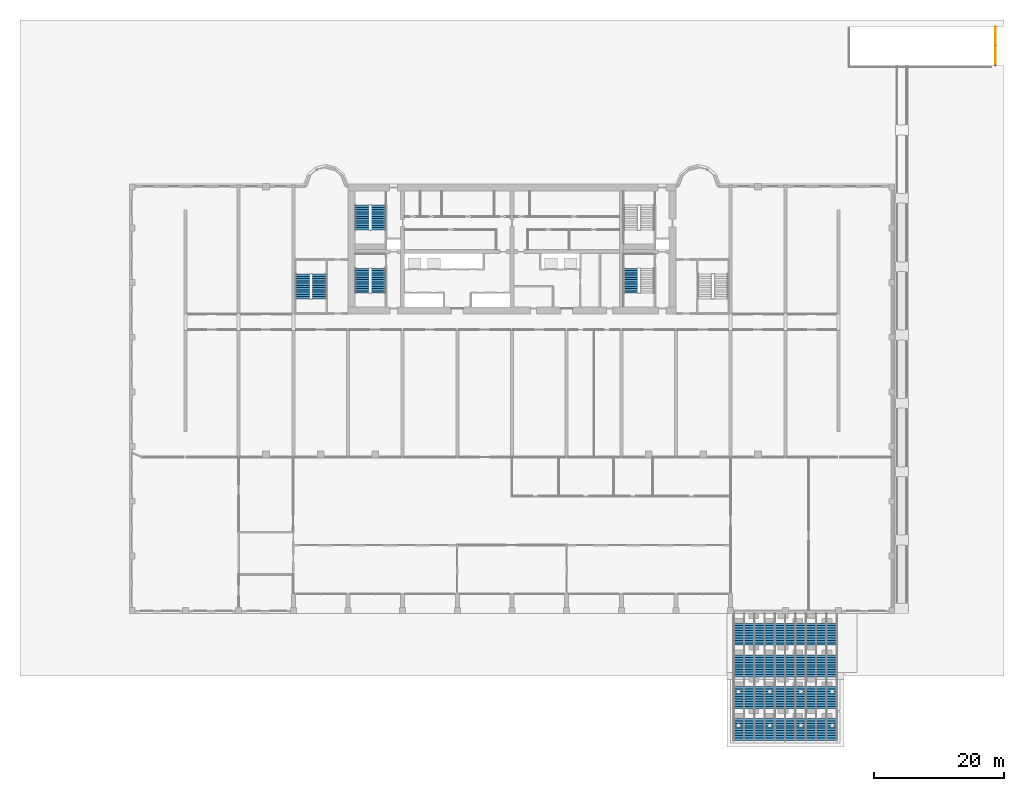
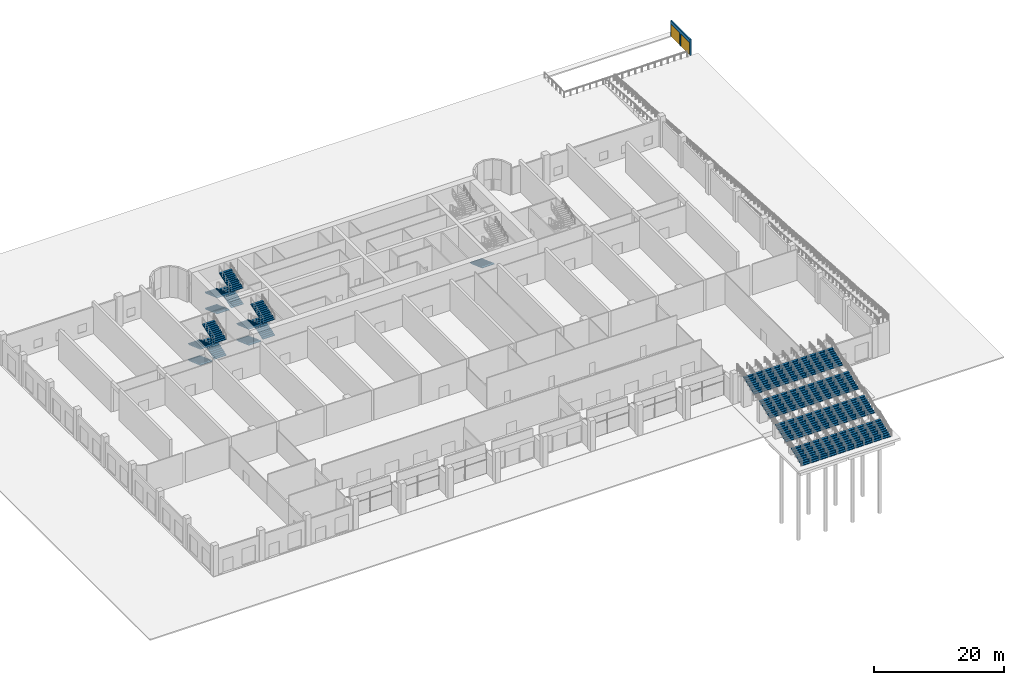
# One storey, part 15 of 20: 53 stair flights, 2 doors, 1 wall, 2 openings, 14 elements without a shape of their own.
"""IFC4 building model written with IfcOpenShell, lengths in metres."""

from ifc_helpers import new_model, si_unit, direction, frame, frame_2d, origin, place, context, subcontext, project, spatial, polyline, rectangle, outline, extrude, source, transform, mapped, material, layer, layer_set, type_object, element, fill, aggregate, save


model = new_model("IFC4")

# Units and contexts
model_context = context("Model", 3, precision=1e-05, world=origin(), true_north=direction((0.0, 1.0)))
body_context = subcontext(model_context, "Body", "Model", "MODEL_VIEW")
ifc_project = project(units=[si_unit("LENGTHUNIT", "METRE"), si_unit("AREAUNIT", "SQUARE_METRE"), si_unit("VOLUMEUNIT", "CUBIC_METRE"), si_unit("PLANEANGLEUNIT", "RADIAN"), si_unit("MASSUNIT", "GRAM", prefix="KILO")], contexts=[model_context])

# Site, building, storey
site_placement = place(None, origin())
site = spatial("IfcSite", under=ifc_project, at=site_placement, CompositionType="ELEMENT")
building_placement = place(site_placement, origin())
building = spatial("IfcBuilding", under=site, at=building_placement, Name="Vanashikhar Sky Hotel", CompositionType="ELEMENT")
storey_placement = place(building_placement, origin())
storey = spatial("IfcBuildingStorey", under=building, at=storey_placement, Name="L00", CompositionType="ELEMENT", Elevation=0.0)

# Wall, openings, doors
ifc_material_1 = material(Name="Concrete M30", Category="concrete")
ifc_layer = layer(ifc_material_1, 0.25)
ifc_layer_set = layer_set([ifc_layer], Name="Vehicle gate wall 250 mm")
wall_type = type_object("IfcWallType", Name="Vehicle gate wall 250 mm", PredefinedType="SOLIDWALL", material=ifc_layer_set)
shared_shape_1 = source(origin(), body_context, "Body", "SweptSolid", [
    extrude(rectangle(XDim=6.0, YDim=0.25, at=frame_2d((3.0, 0.0))), origin(), (0.0, 0.0, 1.0), 3.0),
])
wall_placement = place(storey_placement, frame((124.699951171875, 60.199951171875, -0.1298828125), z_axis=(0.0, 0.0, 1.0), x_axis=(0.0, 1.0, 0.0)))
wall = element("IfcWall", 1, at=wall_placement, inside=storey, type_object=wall_type, Name="Vehicle gate wall", PredefinedType="SOLIDWALL", context=body_context, shape_type="MappedRepresentation", body=[
    mapped(shared_shape_1, transform((0.0, 0.0, 0.0), scale=1.0)),
])
shared_shape_2 = source(origin(), body_context, "Body", "SweptSolid", [
    extrude(rectangle(XDim=2.800048828125, YDim=2.39990234375, at=frame_2d((1.39990234375, 1.199951171875))), frame((0.0, 0.135009765625, 0.0), z_axis=(0.0, -1.0, 0.0), x_axis=(1.0, 0.0, 0.0)), (0.0, 0.0, 1.0), 0.27001953125),
])
opening_1_placement = place(wall_placement, frame((0.14990234375, 0.0, 0.0)))
opening_1 = element("IfcOpeningElement", 2, at=opening_1_placement, cuts=wall, Name="Opening VG1", PredefinedType="OPENING", context=body_context, shape_type="MappedRepresentation", body=[
    mapped(shared_shape_2, transform((0.0, 0.0, 0.0), scale=1.0)),
])
opening_2_placement = place(wall_placement, frame((3.199951171875, 0.0, 0.0)))
opening_2 = element("IfcOpeningElement", 3, at=opening_2_placement, cuts=wall, Name="Opening VG2", PredefinedType="OPENING", context=body_context, shape_type="MappedRepresentation", body=[
    mapped(shared_shape_2, transform((0.0, 0.0, 0.0), scale=1.0)),
])
ifc_material_2 = material(Name="Steel S355", Category="steel")
door_type = type_object("IfcDoorType", Name="Vehicle gate roller shutter", OperationType="ROLLINGUP", PredefinedType="GATE", material=ifc_material_2)
shared_shape_3 = source(origin(), body_context, "Body", "SweptSolid", [
    extrude(rectangle(XDim=2.800048828125, YDim=2.39990234375, at=frame_2d((1.39990234375, 1.199951171875))), frame((0.0, 0.02490234375, 0.0), z_axis=(0.0, -1.0, 0.0), x_axis=(1.0, 0.0, 0.0)), (0.0, 0.0, 1.0), 0.050048828125),
])
door_1_placement = place(opening_1_placement, origin())
door_1 = element("IfcDoor", 4, at=door_1_placement, inside=storey, type_object=door_type, Name="Vehicle gate entry", OperationType="ROLLINGUP", OverallHeight=2.39990234375, OverallWidth=2.800048828125, PredefinedType="GATE", context=body_context, shape_type="MappedRepresentation", body=[
    mapped(shared_shape_3, transform((0.0, 0.0, 0.0), scale=1.0)),
])
fill(opening_1, door_1)
door_2_placement = place(opening_2_placement, origin())
door_2 = element("IfcDoor", 5, at=door_2_placement, inside=storey, type_object=door_type, Name="Vehicle gate exit", OperationType="ROLLINGUP", OverallHeight=2.39990234375, OverallWidth=2.800048828125, PredefinedType="GATE", context=body_context, shape_type="MappedRepresentation", body=[
    mapped(shared_shape_3, transform((0.0, 0.0, 0.0), scale=1.0)),
])
fill(opening_2, door_2)

# Stair, stair flights
stair_type_1 = type_object("IfcStairType", Name="Garden stair 1500", PredefinedType="STRAIGHT_RUN_STAIR", material=ifc_material_1)
stair_1_placement = place(storey_placement, origin())
stair_1 = element("IfcStair", 6, at=stair_1_placement, inside=storey, type_object=stair_type_1, Name="Garden stair 1", PredefinedType="STRAIGHT_RUN_STAIR")
stair_flight_type_1 = type_object("IfcStairFlightType", Name="Garden stair flight 1500", PredefinedType="STRAIGHT", material=ifc_material_1)
shared_shape_4 = source(origin(), body_context, "Body", "SweptSolid", [
    extrude(outline(polyline([(0.0, 0.0), (0.0, 0.14990234375), (0.375, 0.14990234375), (0.375, 0.300048828125), (0.75, 0.300048828125), (0.75, 0.449951171875), (1.125, 0.449951171875), (1.125, 0.60009765625), (1.5, 0.60009765625), (1.5, 0.75), (1.875, 0.75), (1.875, 0.89990234375), (2.25, 0.89990234375), (2.25, 1.050048828125), (2.625, 1.050048828125), (2.625, 1.199951171875), (3.0, 1.199951171875), (3.0, 1.35009765625), (3.375, 1.35009765625), (3.375, 1.5), (3.375, 1.1884765625), (0.403564453125, 0.0), (0.0, 0.0)])), frame((0.0, 0.75, 0.0), z_axis=(0.0, -1.0, 0.0), x_axis=(1.0, 0.0, 0.0)), (0.0, 0.0, 1.0), 1.5),
])
stair_flight_1_placement = place(storey_placement, frame((85.2900390625, -43.5, 0.0), z_axis=(0.0, 0.0, 1.0), x_axis=(0.0, 1.0, 0.0)))
stair_flight_1 = element("IfcStairFlight", 7, at=stair_flight_1_placement, type_object=stair_flight_type_1, Name="ST-G1 flight 1", NumberOfRisers=10, NumberOfTreads=9, PredefinedType="STRAIGHT", RiserHeight=0.15, TreadLength=0.375, context=body_context, shape_type="MappedRepresentation", body=[
    mapped(shared_shape_4, transform((0.0, 0.0, 0.0), scale=1.0)),
])
stair_flight_2_placement = place(storey_placement, frame((85.2900390625, -38.625, 1.5), z_axis=(0.0, 0.0, 1.0), x_axis=(0.0, 1.0, 0.0)))
stair_flight_2 = element("IfcStairFlight", 8, at=stair_flight_2_placement, type_object=stair_flight_type_1, Name="ST-G1 flight 2", NumberOfRisers=10, NumberOfTreads=9, PredefinedType="STRAIGHT", RiserHeight=0.15, TreadLength=0.375, context=body_context, shape_type="MappedRepresentation", body=[
    mapped(shared_shape_4, transform((0.0, 0.0, 0.0), scale=1.0)),
])
stair_flight_3_placement = place(storey_placement, frame((85.2900390625, -33.75, 3.0), z_axis=(0.0, 0.0, 1.0), x_axis=(0.0, 1.0, 0.0)))
stair_flight_3 = element("IfcStairFlight", 9, at=stair_flight_3_placement, type_object=stair_flight_type_1, Name="ST-G1 flight 3", NumberOfRisers=10, NumberOfTreads=9, PredefinedType="STRAIGHT", RiserHeight=0.15, TreadLength=0.375, context=body_context, shape_type="MappedRepresentation", body=[
    mapped(shared_shape_4, transform((0.0, 0.0, 0.0), scale=1.0)),
])
stair_flight_4_placement = place(storey_placement, frame((85.2900390625, -28.875, 4.5), z_axis=(0.0, 0.0, 1.0), x_axis=(0.0, 1.0, 0.0)))
stair_flight_4 = element("IfcStairFlight", 10, at=stair_flight_4_placement, type_object=stair_flight_type_1, Name="ST-G1 flight 4", NumberOfRisers=10, NumberOfTreads=9, PredefinedType="STRAIGHT", RiserHeight=0.15, TreadLength=0.375, context=body_context, shape_type="MappedRepresentation", body=[
    mapped(shared_shape_4, transform((0.0, 0.0, 0.0), scale=1.0)),
])
aggregate(stair_1, [stair_flight_1, stair_flight_2, stair_flight_3, stair_flight_4])

stair_2_placement = place(storey_placement, origin())
stair_2 = element("IfcStair", 11, at=stair_2_placement, inside=storey, type_object=stair_type_1, Name="Garden stair 2", PredefinedType="STRAIGHT_RUN_STAIR")
stair_flight_5_placement = place(storey_placement, frame((86.8701171875, -43.5, 0.0), z_axis=(0.0, 0.0, 1.0), x_axis=(0.0, 1.0, 0.0)))
stair_flight_5 = element("IfcStairFlight", 12, at=stair_flight_5_placement, type_object=stair_flight_type_1, Name="ST-G2 flight 1", NumberOfRisers=10, NumberOfTreads=9, PredefinedType="STRAIGHT", RiserHeight=0.15, TreadLength=0.375, context=body_context, shape_type="MappedRepresentation", body=[
    mapped(shared_shape_4, transform((0.0, 0.0, 0.0), scale=1.0)),
])
stair_flight_6_placement = place(storey_placement, frame((86.8701171875, -38.625, 1.5), z_axis=(0.0, 0.0, 1.0), x_axis=(0.0, 1.0, 0.0)))
stair_flight_6 = element("IfcStairFlight", 13, at=stair_flight_6_placement, type_object=stair_flight_type_1, Name="ST-G2 flight 2", NumberOfRisers=10, NumberOfTreads=9, PredefinedType="STRAIGHT", RiserHeight=0.15, TreadLength=0.375, context=body_context, shape_type="MappedRepresentation", body=[
    mapped(shared_shape_4, transform((0.0, 0.0, 0.0), scale=1.0)),
])
stair_flight_7_placement = place(storey_placement, frame((86.8701171875, -33.75, 3.0), z_axis=(0.0, 0.0, 1.0), x_axis=(0.0, 1.0, 0.0)))
stair_flight_7 = element("IfcStairFlight", 14, at=stair_flight_7_placement, type_object=stair_flight_type_1, Name="ST-G2 flight 3", NumberOfRisers=10, NumberOfTreads=9, PredefinedType="STRAIGHT", RiserHeight=0.15, TreadLength=0.375, context=body_context, shape_type="MappedRepresentation", body=[
    mapped(shared_shape_4, transform((0.0, 0.0, 0.0), scale=1.0)),
])
stair_flight_8_placement = place(storey_placement, frame((86.8701171875, -28.875, 4.5), z_axis=(0.0, 0.0, 1.0), x_axis=(0.0, 1.0, 0.0)))
stair_flight_8 = element("IfcStairFlight", 15, at=stair_flight_8_placement, type_object=stair_flight_type_1, Name="ST-G2 flight 4", NumberOfRisers=10, NumberOfTreads=9, PredefinedType="STRAIGHT", RiserHeight=0.15, TreadLength=0.375, context=body_context, shape_type="MappedRepresentation", body=[
    mapped(shared_shape_4, transform((0.0, 0.0, 0.0), scale=1.0)),
])
aggregate(stair_2, [stair_flight_5, stair_flight_6, stair_flight_7, stair_flight_8])

stair_3_placement = place(storey_placement, origin())
stair_3 = element("IfcStair", 16, at=stair_3_placement, inside=storey, type_object=stair_type_1, Name="Garden stair 3", PredefinedType="STRAIGHT_RUN_STAIR")
stair_flight_9_placement = place(storey_placement, frame((88.449951171875, -43.5, 0.0), z_axis=(0.0, 0.0, 1.0), x_axis=(0.0, 1.0, 0.0)))
stair_flight_9 = element("IfcStairFlight", 17, at=stair_flight_9_placement, type_object=stair_flight_type_1, Name="ST-G3 flight 1", NumberOfRisers=10, NumberOfTreads=9, PredefinedType="STRAIGHT", RiserHeight=0.15, TreadLength=0.375, context=body_context, shape_type="MappedRepresentation", body=[
    mapped(shared_shape_4, transform((0.0, 0.0, 0.0), scale=1.0)),
])
stair_flight_10_placement = place(storey_placement, frame((88.449951171875, -38.625, 1.5), z_axis=(0.0, 0.0, 1.0), x_axis=(0.0, 1.0, 0.0)))
stair_flight_10 = element("IfcStairFlight", 18, at=stair_flight_10_placement, type_object=stair_flight_type_1, Name="ST-G3 flight 2", NumberOfRisers=10, NumberOfTreads=9, PredefinedType="STRAIGHT", RiserHeight=0.15, TreadLength=0.375, context=body_context, shape_type="MappedRepresentation", body=[
    mapped(shared_shape_4, transform((0.0, 0.0, 0.0), scale=1.0)),
])
stair_flight_11_placement = place(storey_placement, frame((88.449951171875, -33.75, 3.0), z_axis=(0.0, 0.0, 1.0), x_axis=(0.0, 1.0, 0.0)))
stair_flight_11 = element("IfcStairFlight", 19, at=stair_flight_11_placement, type_object=stair_flight_type_1, Name="ST-G3 flight 3", NumberOfRisers=10, NumberOfTreads=9, PredefinedType="STRAIGHT", RiserHeight=0.15, TreadLength=0.375, context=body_context, shape_type="MappedRepresentation", body=[
    mapped(shared_shape_4, transform((0.0, 0.0, 0.0), scale=1.0)),
])
stair_flight_12_placement = place(storey_placement, frame((88.449951171875, -28.875, 4.5), z_axis=(0.0, 0.0, 1.0), x_axis=(0.0, 1.0, 0.0)))
stair_flight_12 = element("IfcStairFlight", 20, at=stair_flight_12_placement, type_object=stair_flight_type_1, Name="ST-G3 flight 4", NumberOfRisers=10, NumberOfTreads=9, PredefinedType="STRAIGHT", RiserHeight=0.15, TreadLength=0.375, context=body_context, shape_type="MappedRepresentation", body=[
    mapped(shared_shape_4, transform((0.0, 0.0, 0.0), scale=1.0)),
])
aggregate(stair_3, [stair_flight_9, stair_flight_10, stair_flight_11, stair_flight_12])

stair_4_placement = place(storey_placement, origin())
stair_4 = element("IfcStair", 21, at=stair_4_placement, inside=storey, type_object=stair_type_1, Name="Garden stair 4", PredefinedType="STRAIGHT_RUN_STAIR")
stair_flight_13_placement = place(storey_placement, frame((90.030029296875, -43.5, 0.0), z_axis=(0.0, 0.0, 1.0), x_axis=(0.0, 1.0, 0.0)))
stair_flight_13 = element("IfcStairFlight", 22, at=stair_flight_13_placement, type_object=stair_flight_type_1, Name="ST-G4 flight 1", NumberOfRisers=10, NumberOfTreads=9, PredefinedType="STRAIGHT", RiserHeight=0.15, TreadLength=0.375, context=body_context, shape_type="MappedRepresentation", body=[
    mapped(shared_shape_4, transform((0.0, 0.0, 0.0), scale=1.0)),
])
stair_flight_14_placement = place(storey_placement, frame((90.030029296875, -38.625, 1.5), z_axis=(0.0, 0.0, 1.0), x_axis=(0.0, 1.0, 0.0)))
stair_flight_14 = element("IfcStairFlight", 23, at=stair_flight_14_placement, type_object=stair_flight_type_1, Name="ST-G4 flight 2", NumberOfRisers=10, NumberOfTreads=9, PredefinedType="STRAIGHT", RiserHeight=0.15, TreadLength=0.375, context=body_context, shape_type="MappedRepresentation", body=[
    mapped(shared_shape_4, transform((0.0, 0.0, 0.0), scale=1.0)),
])
stair_flight_15_placement = place(storey_placement, frame((90.030029296875, -33.75, 3.0), z_axis=(0.0, 0.0, 1.0), x_axis=(0.0, 1.0, 0.0)))
stair_flight_15 = element("IfcStairFlight", 24, at=stair_flight_15_placement, type_object=stair_flight_type_1, Name="ST-G4 flight 3", NumberOfRisers=10, NumberOfTreads=9, PredefinedType="STRAIGHT", RiserHeight=0.15, TreadLength=0.375, context=body_context, shape_type="MappedRepresentation", body=[
    mapped(shared_shape_4, transform((0.0, 0.0, 0.0), scale=1.0)),
])
stair_flight_16_placement = place(storey_placement, frame((90.030029296875, -28.875, 4.5), z_axis=(0.0, 0.0, 1.0), x_axis=(0.0, 1.0, 0.0)))
stair_flight_16 = element("IfcStairFlight", 25, at=stair_flight_16_placement, type_object=stair_flight_type_1, Name="ST-G4 flight 4", NumberOfRisers=10, NumberOfTreads=9, PredefinedType="STRAIGHT", RiserHeight=0.15, TreadLength=0.375, context=body_context, shape_type="MappedRepresentation", body=[
    mapped(shared_shape_4, transform((0.0, 0.0, 0.0), scale=1.0)),
])
aggregate(stair_4, [stair_flight_13, stair_flight_14, stair_flight_15, stair_flight_16])

stair_5_placement = place(storey_placement, origin())
stair_5 = element("IfcStair", 26, at=stair_5_placement, inside=storey, type_object=stair_type_1, Name="Garden stair 5", PredefinedType="STRAIGHT_RUN_STAIR")
stair_flight_17_placement = place(storey_placement, frame((91.610107421875, -43.5, 0.0), z_axis=(0.0, 0.0, 1.0), x_axis=(0.0, 1.0, 0.0)))
stair_flight_17 = element("IfcStairFlight", 27, at=stair_flight_17_placement, type_object=stair_flight_type_1, Name="ST-G5 flight 1", NumberOfRisers=10, NumberOfTreads=9, PredefinedType="STRAIGHT", RiserHeight=0.15, TreadLength=0.375, context=body_context, shape_type="MappedRepresentation", body=[
    mapped(shared_shape_4, transform((0.0, 0.0, 0.0), scale=1.0)),
])
stair_flight_18_placement = place(storey_placement, frame((91.610107421875, -38.625, 1.5), z_axis=(0.0, 0.0, 1.0), x_axis=(0.0, 1.0, 0.0)))
stair_flight_18 = element("IfcStairFlight", 28, at=stair_flight_18_placement, type_object=stair_flight_type_1, Name="ST-G5 flight 2", NumberOfRisers=10, NumberOfTreads=9, PredefinedType="STRAIGHT", RiserHeight=0.15, TreadLength=0.375, context=body_context, shape_type="MappedRepresentation", body=[
    mapped(shared_shape_4, transform((0.0, 0.0, 0.0), scale=1.0)),
])
stair_flight_19_placement = place(storey_placement, frame((91.610107421875, -33.75, 3.0), z_axis=(0.0, 0.0, 1.0), x_axis=(0.0, 1.0, 0.0)))
stair_flight_19 = element("IfcStairFlight", 29, at=stair_flight_19_placement, type_object=stair_flight_type_1, Name="ST-G5 flight 3", NumberOfRisers=10, NumberOfTreads=9, PredefinedType="STRAIGHT", RiserHeight=0.15, TreadLength=0.375, context=body_context, shape_type="MappedRepresentation", body=[
    mapped(shared_shape_4, transform((0.0, 0.0, 0.0), scale=1.0)),
])
stair_flight_20_placement = place(storey_placement, frame((91.610107421875, -28.875, 4.5), z_axis=(0.0, 0.0, 1.0), x_axis=(0.0, 1.0, 0.0)))
stair_flight_20 = element("IfcStairFlight", 30, at=stair_flight_20_placement, type_object=stair_flight_type_1, Name="ST-G5 flight 4", NumberOfRisers=10, NumberOfTreads=9, PredefinedType="STRAIGHT", RiserHeight=0.15, TreadLength=0.375, context=body_context, shape_type="MappedRepresentation", body=[
    mapped(shared_shape_4, transform((0.0, 0.0, 0.0), scale=1.0)),
])
aggregate(stair_5, [stair_flight_17, stair_flight_18, stair_flight_19, stair_flight_20])

stair_6_placement = place(storey_placement, origin())
stair_6 = element("IfcStair", 31, at=stair_6_placement, inside=storey, type_object=stair_type_1, Name="Garden stair 6", PredefinedType="STRAIGHT_RUN_STAIR")
stair_flight_21_placement = place(storey_placement, frame((93.18994140625, -43.5, 0.0), z_axis=(0.0, 0.0, 1.0), x_axis=(0.0, 1.0, 0.0)))
stair_flight_21 = element("IfcStairFlight", 32, at=stair_flight_21_placement, type_object=stair_flight_type_1, Name="ST-G6 flight 1", NumberOfRisers=10, NumberOfTreads=9, PredefinedType="STRAIGHT", RiserHeight=0.15, TreadLength=0.375, context=body_context, shape_type="MappedRepresentation", body=[
    mapped(shared_shape_4, transform((0.0, 0.0, 0.0), scale=1.0)),
])
stair_flight_22_placement = place(storey_placement, frame((93.18994140625, -38.625, 1.5), z_axis=(0.0, 0.0, 1.0), x_axis=(0.0, 1.0, 0.0)))
stair_flight_22 = element("IfcStairFlight", 33, at=stair_flight_22_placement, type_object=stair_flight_type_1, Name="ST-G6 flight 2", NumberOfRisers=10, NumberOfTreads=9, PredefinedType="STRAIGHT", RiserHeight=0.15, TreadLength=0.375, context=body_context, shape_type="MappedRepresentation", body=[
    mapped(shared_shape_4, transform((0.0, 0.0, 0.0), scale=1.0)),
])
stair_flight_23_placement = place(storey_placement, frame((93.18994140625, -33.75, 3.0), z_axis=(0.0, 0.0, 1.0), x_axis=(0.0, 1.0, 0.0)))
stair_flight_23 = element("IfcStairFlight", 34, at=stair_flight_23_placement, type_object=stair_flight_type_1, Name="ST-G6 flight 3", NumberOfRisers=10, NumberOfTreads=9, PredefinedType="STRAIGHT", RiserHeight=0.15, TreadLength=0.375, context=body_context, shape_type="MappedRepresentation", body=[
    mapped(shared_shape_4, transform((0.0, 0.0, 0.0), scale=1.0)),
])
stair_flight_24_placement = place(storey_placement, frame((93.18994140625, -28.875, 4.5), z_axis=(0.0, 0.0, 1.0), x_axis=(0.0, 1.0, 0.0)))
stair_flight_24 = element("IfcStairFlight", 35, at=stair_flight_24_placement, type_object=stair_flight_type_1, Name="ST-G6 flight 4", NumberOfRisers=10, NumberOfTreads=9, PredefinedType="STRAIGHT", RiserHeight=0.15, TreadLength=0.375, context=body_context, shape_type="MappedRepresentation", body=[
    mapped(shared_shape_4, transform((0.0, 0.0, 0.0), scale=1.0)),
])
aggregate(stair_6, [stair_flight_21, stair_flight_22, stair_flight_23, stair_flight_24])

stair_7_placement = place(storey_placement, origin())
stair_7 = element("IfcStair", 36, at=stair_7_placement, inside=storey, type_object=stair_type_1, Name="Garden stair 7", PredefinedType="STRAIGHT_RUN_STAIR")
stair_flight_25_placement = place(storey_placement, frame((94.77001953125, -43.5, 0.0), z_axis=(0.0, 0.0, 1.0), x_axis=(0.0, 1.0, 0.0)))
stair_flight_25 = element("IfcStairFlight", 37, at=stair_flight_25_placement, type_object=stair_flight_type_1, Name="ST-G7 flight 1", NumberOfRisers=10, NumberOfTreads=9, PredefinedType="STRAIGHT", RiserHeight=0.15, TreadLength=0.375, context=body_context, shape_type="MappedRepresentation", body=[
    mapped(shared_shape_4, transform((0.0, 0.0, 0.0), scale=1.0)),
])
stair_flight_26_placement = place(storey_placement, frame((94.77001953125, -38.625, 1.5), z_axis=(0.0, 0.0, 1.0), x_axis=(0.0, 1.0, 0.0)))
stair_flight_26 = element("IfcStairFlight", 38, at=stair_flight_26_placement, type_object=stair_flight_type_1, Name="ST-G7 flight 2", NumberOfRisers=10, NumberOfTreads=9, PredefinedType="STRAIGHT", RiserHeight=0.15, TreadLength=0.375, context=body_context, shape_type="MappedRepresentation", body=[
    mapped(shared_shape_4, transform((0.0, 0.0, 0.0), scale=1.0)),
])
stair_flight_27_placement = place(storey_placement, frame((94.77001953125, -33.75, 3.0), z_axis=(0.0, 0.0, 1.0), x_axis=(0.0, 1.0, 0.0)))
stair_flight_27 = element("IfcStairFlight", 39, at=stair_flight_27_placement, type_object=stair_flight_type_1, Name="ST-G7 flight 3", NumberOfRisers=10, NumberOfTreads=9, PredefinedType="STRAIGHT", RiserHeight=0.15, TreadLength=0.375, context=body_context, shape_type="MappedRepresentation", body=[
    mapped(shared_shape_4, transform((0.0, 0.0, 0.0), scale=1.0)),
])
stair_flight_28_placement = place(storey_placement, frame((94.77001953125, -28.875, 4.5), z_axis=(0.0, 0.0, 1.0), x_axis=(0.0, 1.0, 0.0)))
stair_flight_28 = element("IfcStairFlight", 40, at=stair_flight_28_placement, type_object=stair_flight_type_1, Name="ST-G7 flight 4", NumberOfRisers=10, NumberOfTreads=9, PredefinedType="STRAIGHT", RiserHeight=0.15, TreadLength=0.375, context=body_context, shape_type="MappedRepresentation", body=[
    mapped(shared_shape_4, transform((0.0, 0.0, 0.0), scale=1.0)),
])
aggregate(stair_7, [stair_flight_25, stair_flight_26, stair_flight_27, stair_flight_28])

stair_8_placement = place(storey_placement, origin())
stair_8 = element("IfcStair", 41, at=stair_8_placement, inside=storey, type_object=stair_type_1, Name="Garden stair 8", PredefinedType="STRAIGHT_RUN_STAIR")
stair_flight_29_placement = place(storey_placement, frame((96.35009765625, -43.5, 0.0), z_axis=(0.0, 0.0, 1.0), x_axis=(0.0, 1.0, 0.0)))
stair_flight_29 = element("IfcStairFlight", 42, at=stair_flight_29_placement, type_object=stair_flight_type_1, Name="ST-G8 flight 1", NumberOfRisers=10, NumberOfTreads=9, PredefinedType="STRAIGHT", RiserHeight=0.15, TreadLength=0.375, context=body_context, shape_type="MappedRepresentation", body=[
    mapped(shared_shape_4, transform((0.0, 0.0, 0.0), scale=1.0)),
])
stair_flight_30_placement = place(storey_placement, frame((96.35009765625, -38.625, 1.5), z_axis=(0.0, 0.0, 1.0), x_axis=(0.0, 1.0, 0.0)))
stair_flight_30 = element("IfcStairFlight", 43, at=stair_flight_30_placement, type_object=stair_flight_type_1, Name="ST-G8 flight 2", NumberOfRisers=10, NumberOfTreads=9, PredefinedType="STRAIGHT", RiserHeight=0.15, TreadLength=0.375, context=body_context, shape_type="MappedRepresentation", body=[
    mapped(shared_shape_4, transform((0.0, 0.0, 0.0), scale=1.0)),
])
stair_flight_31_placement = place(storey_placement, frame((96.35009765625, -33.75, 3.0), z_axis=(0.0, 0.0, 1.0), x_axis=(0.0, 1.0, 0.0)))
stair_flight_31 = element("IfcStairFlight", 44, at=stair_flight_31_placement, type_object=stair_flight_type_1, Name="ST-G8 flight 3", NumberOfRisers=10, NumberOfTreads=9, PredefinedType="STRAIGHT", RiserHeight=0.15, TreadLength=0.375, context=body_context, shape_type="MappedRepresentation", body=[
    mapped(shared_shape_4, transform((0.0, 0.0, 0.0), scale=1.0)),
])
stair_flight_32_placement = place(storey_placement, frame((96.35009765625, -28.875, 4.5), z_axis=(0.0, 0.0, 1.0), x_axis=(0.0, 1.0, 0.0)))
stair_flight_32 = element("IfcStairFlight", 45, at=stair_flight_32_placement, type_object=stair_flight_type_1, Name="ST-G8 flight 4", NumberOfRisers=10, NumberOfTreads=9, PredefinedType="STRAIGHT", RiserHeight=0.15, TreadLength=0.375, context=body_context, shape_type="MappedRepresentation", body=[
    mapped(shared_shape_4, transform((0.0, 0.0, 0.0), scale=1.0)),
])
aggregate(stair_8, [stair_flight_29, stair_flight_30, stair_flight_31, stair_flight_32])

stair_9_placement = place(storey_placement, origin())
stair_9 = element("IfcStair", 46, at=stair_9_placement, inside=storey, type_object=stair_type_1, Name="Garden stair 9", PredefinedType="STRAIGHT_RUN_STAIR")
stair_flight_33_placement = place(storey_placement, frame((97.929931640625, -43.5, 0.0), z_axis=(0.0, 0.0, 1.0), x_axis=(0.0, 1.0, 0.0)))
stair_flight_33 = element("IfcStairFlight", 47, at=stair_flight_33_placement, type_object=stair_flight_type_1, Name="ST-G9 flight 1", NumberOfRisers=10, NumberOfTreads=9, PredefinedType="STRAIGHT", RiserHeight=0.15, TreadLength=0.375, context=body_context, shape_type="MappedRepresentation", body=[
    mapped(shared_shape_4, transform((0.0, 0.0, 0.0), scale=1.0)),
])
stair_flight_34_placement = place(storey_placement, frame((97.929931640625, -38.625, 1.5), z_axis=(0.0, 0.0, 1.0), x_axis=(0.0, 1.0, 0.0)))
stair_flight_34 = element("IfcStairFlight", 48, at=stair_flight_34_placement, type_object=stair_flight_type_1, Name="ST-G9 flight 2", NumberOfRisers=10, NumberOfTreads=9, PredefinedType="STRAIGHT", RiserHeight=0.15, TreadLength=0.375, context=body_context, shape_type="MappedRepresentation", body=[
    mapped(shared_shape_4, transform((0.0, 0.0, 0.0), scale=1.0)),
])
stair_flight_35_placement = place(storey_placement, frame((97.929931640625, -33.75, 3.0), z_axis=(0.0, 0.0, 1.0), x_axis=(0.0, 1.0, 0.0)))
stair_flight_35 = element("IfcStairFlight", 49, at=stair_flight_35_placement, type_object=stair_flight_type_1, Name="ST-G9 flight 3", NumberOfRisers=10, NumberOfTreads=9, PredefinedType="STRAIGHT", RiserHeight=0.15, TreadLength=0.375, context=body_context, shape_type="MappedRepresentation", body=[
    mapped(shared_shape_4, transform((0.0, 0.0, 0.0), scale=1.0)),
])
stair_flight_36_placement = place(storey_placement, frame((97.929931640625, -28.875, 4.5), z_axis=(0.0, 0.0, 1.0), x_axis=(0.0, 1.0, 0.0)))
stair_flight_36 = element("IfcStairFlight", 50, at=stair_flight_36_placement, type_object=stair_flight_type_1, Name="ST-G9 flight 4", NumberOfRisers=10, NumberOfTreads=9, PredefinedType="STRAIGHT", RiserHeight=0.15, TreadLength=0.375, context=body_context, shape_type="MappedRepresentation", body=[
    mapped(shared_shape_4, transform((0.0, 0.0, 0.0), scale=1.0)),
])
aggregate(stair_9, [stair_flight_33, stair_flight_34, stair_flight_35, stair_flight_36])

stair_10_placement = place(storey_placement, origin())
stair_10 = element("IfcStair", 51, at=stair_10_placement, inside=storey, type_object=stair_type_1, Name="Garden stair 10", PredefinedType="STRAIGHT_RUN_STAIR")
stair_flight_37_placement = place(storey_placement, frame((99.510009765625, -43.5, 0.0), z_axis=(0.0, 0.0, 1.0), x_axis=(0.0, 1.0, 0.0)))
stair_flight_37 = element("IfcStairFlight", 52, at=stair_flight_37_placement, type_object=stair_flight_type_1, Name="ST-G10 flight 1", NumberOfRisers=10, NumberOfTreads=9, PredefinedType="STRAIGHT", RiserHeight=0.15, TreadLength=0.375, context=body_context, shape_type="MappedRepresentation", body=[
    mapped(shared_shape_4, transform((0.0, 0.0, 0.0), scale=1.0)),
])
stair_flight_38_placement = place(storey_placement, frame((99.510009765625, -38.625, 1.5), z_axis=(0.0, 0.0, 1.0), x_axis=(0.0, 1.0, 0.0)))
stair_flight_38 = element("IfcStairFlight", 53, at=stair_flight_38_placement, type_object=stair_flight_type_1, Name="ST-G10 flight 2", NumberOfRisers=10, NumberOfTreads=9, PredefinedType="STRAIGHT", RiserHeight=0.15, TreadLength=0.375, context=body_context, shape_type="MappedRepresentation", body=[
    mapped(shared_shape_4, transform((0.0, 0.0, 0.0), scale=1.0)),
])
stair_flight_39_placement = place(storey_placement, frame((99.510009765625, -33.75, 3.0), z_axis=(0.0, 0.0, 1.0), x_axis=(0.0, 1.0, 0.0)))
stair_flight_39 = element("IfcStairFlight", 54, at=stair_flight_39_placement, type_object=stair_flight_type_1, Name="ST-G10 flight 3", NumberOfRisers=10, NumberOfTreads=9, PredefinedType="STRAIGHT", RiserHeight=0.15, TreadLength=0.375, context=body_context, shape_type="MappedRepresentation", body=[
    mapped(shared_shape_4, transform((0.0, 0.0, 0.0), scale=1.0)),
])
stair_flight_40_placement = place(storey_placement, frame((99.510009765625, -28.875, 4.5), z_axis=(0.0, 0.0, 1.0), x_axis=(0.0, 1.0, 0.0)))
stair_flight_40 = element("IfcStairFlight", 55, at=stair_flight_40_placement, type_object=stair_flight_type_1, Name="ST-G10 flight 4", NumberOfRisers=10, NumberOfTreads=9, PredefinedType="STRAIGHT", RiserHeight=0.15, TreadLength=0.375, context=body_context, shape_type="MappedRepresentation", body=[
    mapped(shared_shape_4, transform((0.0, 0.0, 0.0), scale=1.0)),
])
aggregate(stair_10, [stair_flight_37, stair_flight_38, stair_flight_39, stair_flight_40])

ifc_material_3 = material(Name="Concrete M40", Category="concrete")
stair_type_2 = type_object("IfcStairType", Name="Exit stair 2150", PredefinedType="DOUBLE_RETURN_STAIR", material=ifc_material_3)
stair_11_placement = place(storey_placement, origin())
stair_11 = element("IfcStair", 56, at=stair_11_placement, inside=storey, type_object=stair_type_2, Name="L00 Exit stair 1", PredefinedType="DOUBLE_RETURN_STAIR")
stair_flight_type_2 = type_object("IfcStairFlightType", Name="Stair flight 2150", PredefinedType="STRAIGHT", material=ifc_material_3)
shared_shape_5 = source(origin(), body_context, "Body", "SweptSolid", [
    extrude(outline(polyline([(0.0, 0.0), (0.0, 0.125), (0.345458984375, 0.125), (0.345458984375, 0.25), (0.69091796875, 0.25), (0.69091796875, 0.375), (1.036376953125, 0.375), (1.036376953125, 0.5), (1.3818359375, 0.5), (1.3818359375, 0.625), (1.727294921875, 0.625), (1.727294921875, 0.75), (2.07275390625, 0.75), (2.07275390625, 0.875), (2.418212890625, 0.875), (2.418212890625, 1.0), (2.763671875, 1.0), (2.763671875, 1.125), (3.109130859375, 1.125), (3.109130859375, 1.25), (3.45458984375, 1.25), (3.45458984375, 1.375), (3.800048828125, 1.375), (3.800048828125, 1.5), (3.800048828125, 1.247314453125), (0.35302734375, 0.0), (0.0, 0.0)])), frame((0.0, 1.074951171875, 0.0), z_axis=(0.0, -1.0, 0.0), x_axis=(1.0, 0.0, 0.0)), (0.0, 0.0, 1.0), 2.14990234375),
])
stair_flight_41_placement = place(storey_placement, frame((27.375, 29.050048828125, 0.0), z_axis=(0.0, 0.0, 1.0), x_axis=(0.0, -1.0, 0.0)))
stair_flight_41 = element("IfcStairFlight", 57, at=stair_flight_41_placement, type_object=stair_flight_type_2, Name="ST-C1 flight 1", NumberOfRisers=12, NumberOfTreads=11, PredefinedType="STRAIGHT", RiserHeight=0.125, TreadLength=0.345454545, context=body_context, shape_type="MappedRepresentation", body=[
    mapped(shared_shape_5, transform((0.0, 0.0, 0.0), scale=1.0)),
])
stair_flight_42_placement = place(storey_placement, frame((29.875, 25.25, 1.5), z_axis=(0.0, 0.0, 1.0), x_axis=(0.0, 1.0, 0.0)))
stair_flight_42 = element("IfcStairFlight", 58, at=stair_flight_42_placement, type_object=stair_flight_type_2, Name="ST-C1 flight 2", NumberOfRisers=12, NumberOfTreads=11, PredefinedType="STRAIGHT", RiserHeight=0.125, TreadLength=0.345454545, context=body_context, shape_type="MappedRepresentation", body=[
    mapped(shared_shape_5, transform((0.0, 0.0, 0.0), scale=1.0)),
])
stair_flight_43_placement = place(storey_placement, frame((27.375, 29.050048828125, 3.0), z_axis=(0.0, 0.0, 1.0), x_axis=(0.0, -1.0, 0.0)))
stair_flight_43 = element("IfcStairFlight", 59, at=stair_flight_43_placement, type_object=stair_flight_type_2, Name="ST-C1 flight 3", NumberOfRisers=12, NumberOfTreads=11, PredefinedType="STRAIGHT", RiserHeight=0.125, TreadLength=0.345454545, context=body_context, shape_type="MappedRepresentation", body=[
    mapped(shared_shape_5, transform((0.0, 0.0, 0.0), scale=1.0)),
])
stair_flight_44_placement = place(storey_placement, frame((29.875, 25.25, 4.5), z_axis=(0.0, 0.0, 1.0), x_axis=(0.0, 1.0, 0.0)))
stair_flight_44 = element("IfcStairFlight", 60, at=stair_flight_44_placement, type_object=stair_flight_type_2, Name="ST-C1 flight 4", NumberOfRisers=12, NumberOfTreads=11, PredefinedType="STRAIGHT", RiserHeight=0.125, TreadLength=0.345454545, context=body_context, shape_type="MappedRepresentation", body=[
    mapped(shared_shape_5, transform((0.0, 0.0, 0.0), scale=1.0)),
])
aggregate(stair_11, [stair_flight_41, stair_flight_42, stair_flight_43, stair_flight_44])

# Stair, stair flight
stair_12_placement = place(storey_placement, origin())
stair_12 = element("IfcStair", 61, at=stair_12_placement, inside=storey, type_object=stair_type_2, Name="L00 Exit stair 2", PredefinedType="DOUBLE_RETURN_STAIR")
stair_flight_45_placement = place(storey_placement, frame((68.675048828125, 29.050048828125, 0.0), z_axis=(0.0, 0.0, 1.0), x_axis=(0.0, -1.0, 0.0)))
stair_flight_45 = element("IfcStairFlight", 62, at=stair_flight_45_placement, type_object=stair_flight_type_2, Name="ST-C2 flight 1", NumberOfRisers=12, NumberOfTreads=11, PredefinedType="STRAIGHT", RiserHeight=0.125, TreadLength=0.345454545, context=body_context, shape_type="MappedRepresentation", body=[
    mapped(shared_shape_5, transform((0.0, 0.0, 0.0), scale=1.0)),
])
aggregate(stair_12, [stair_flight_45])

# Stair, stair flights
stair_13_placement = place(storey_placement, origin())
stair_13 = element("IfcStair", 63, at=stair_13_placement, inside=storey, type_object=stair_type_2, Name="L00 Exit stair 3", PredefinedType="DOUBLE_RETURN_STAIR")
stair_flight_46_placement = place(storey_placement, frame((18.27490234375, 28.14990234375, 0.0), z_axis=(0.0, 0.0, 1.0), x_axis=(0.0, -1.0, 0.0)))
stair_flight_46 = element("IfcStairFlight", 64, at=stair_flight_46_placement, type_object=stair_flight_type_2, Name="ST-W flight 1", NumberOfRisers=12, NumberOfTreads=11, PredefinedType="STRAIGHT", RiserHeight=0.125, TreadLength=0.345454545, context=body_context, shape_type="MappedRepresentation", body=[
    mapped(shared_shape_5, transform((0.0, 0.0, 0.0), scale=1.0)),
])
stair_flight_47_placement = place(storey_placement, frame((20.77490234375, 24.35009765625, 1.5), z_axis=(0.0, 0.0, 1.0), x_axis=(0.0, 1.0, 0.0)))
stair_flight_47 = element("IfcStairFlight", 65, at=stair_flight_47_placement, type_object=stair_flight_type_2, Name="ST-W flight 2", NumberOfRisers=12, NumberOfTreads=11, PredefinedType="STRAIGHT", RiserHeight=0.125, TreadLength=0.345454545, context=body_context, shape_type="MappedRepresentation", body=[
    mapped(shared_shape_5, transform((0.0, 0.0, 0.0), scale=1.0)),
])
stair_flight_48_placement = place(storey_placement, frame((18.27490234375, 28.14990234375, 3.0), z_axis=(0.0, 0.0, 1.0), x_axis=(0.0, -1.0, 0.0)))
stair_flight_48 = element("IfcStairFlight", 66, at=stair_flight_48_placement, type_object=stair_flight_type_2, Name="ST-W flight 3", NumberOfRisers=12, NumberOfTreads=11, PredefinedType="STRAIGHT", RiserHeight=0.125, TreadLength=0.345454545, context=body_context, shape_type="MappedRepresentation", body=[
    mapped(shared_shape_5, transform((0.0, 0.0, 0.0), scale=1.0)),
])
stair_flight_49_placement = place(storey_placement, frame((20.77490234375, 24.35009765625, 4.5), z_axis=(0.0, 0.0, 1.0), x_axis=(0.0, 1.0, 0.0)))
stair_flight_49 = element("IfcStairFlight", 67, at=stair_flight_49_placement, type_object=stair_flight_type_2, Name="ST-W flight 4", NumberOfRisers=12, NumberOfTreads=11, PredefinedType="STRAIGHT", RiserHeight=0.125, TreadLength=0.345454545, context=body_context, shape_type="MappedRepresentation", body=[
    mapped(shared_shape_5, transform((0.0, 0.0, 0.0), scale=1.0)),
])
aggregate(stair_13, [stair_flight_46, stair_flight_47, stair_flight_48, stair_flight_49])

stair_14_placement = place(storey_placement, origin())
stair_14 = element("IfcStair", 68, at=stair_14_placement, inside=storey, type_object=stair_type_2, Name="L00 Exit stair 5", PredefinedType="DOUBLE_RETURN_STAIR")
stair_flight_50_placement = place(storey_placement, frame((27.375, 38.75, 0.0), z_axis=(0.0, 0.0, 1.0), x_axis=(0.0, -1.0, 0.0)))
stair_flight_50 = element("IfcStairFlight", 69, at=stair_flight_50_placement, type_object=stair_flight_type_2, Name="ST-C3 flight 1", NumberOfRisers=12, NumberOfTreads=11, PredefinedType="STRAIGHT", RiserHeight=0.125, TreadLength=0.345454545, context=body_context, shape_type="MappedRepresentation", body=[
    mapped(shared_shape_5, transform((0.0, 0.0, 0.0), scale=1.0)),
])
stair_flight_51_placement = place(storey_placement, frame((29.875, 34.949951171875, 1.5), z_axis=(0.0, 0.0, 1.0), x_axis=(0.0, 1.0, 0.0)))
stair_flight_51 = element("IfcStairFlight", 70, at=stair_flight_51_placement, type_object=stair_flight_type_2, Name="ST-C3 flight 2", NumberOfRisers=12, NumberOfTreads=11, PredefinedType="STRAIGHT", RiserHeight=0.125, TreadLength=0.345454545, context=body_context, shape_type="MappedRepresentation", body=[
    mapped(shared_shape_5, transform((0.0, 0.0, 0.0), scale=1.0)),
])
stair_flight_52_placement = place(storey_placement, frame((27.375, 38.75, 3.0), z_axis=(0.0, 0.0, 1.0), x_axis=(0.0, -1.0, 0.0)))
stair_flight_52 = element("IfcStairFlight", 71, at=stair_flight_52_placement, type_object=stair_flight_type_2, Name="ST-C3 flight 3", NumberOfRisers=12, NumberOfTreads=11, PredefinedType="STRAIGHT", RiserHeight=0.125, TreadLength=0.345454545, context=body_context, shape_type="MappedRepresentation", body=[
    mapped(shared_shape_5, transform((0.0, 0.0, 0.0), scale=1.0)),
])
stair_flight_53_placement = place(storey_placement, frame((29.875, 34.949951171875, 4.5), z_axis=(0.0, 0.0, 1.0), x_axis=(0.0, 1.0, 0.0)))
stair_flight_53 = element("IfcStairFlight", 72, at=stair_flight_53_placement, type_object=stair_flight_type_2, Name="ST-C3 flight 4", NumberOfRisers=12, NumberOfTreads=11, PredefinedType="STRAIGHT", RiserHeight=0.125, TreadLength=0.345454545, context=body_context, shape_type="MappedRepresentation", body=[
    mapped(shared_shape_5, transform((0.0, 0.0, 0.0), scale=1.0)),
])
aggregate(stair_14, [stair_flight_50, stair_flight_51, stair_flight_52, stair_flight_53])

save(model, "model.ifc")
